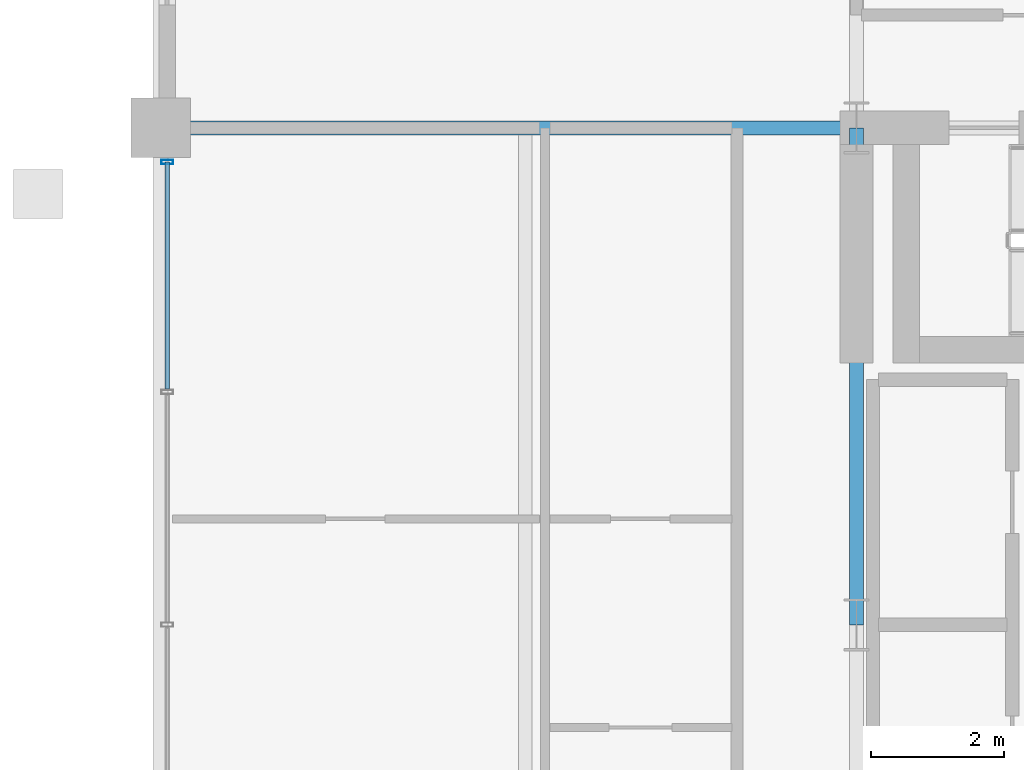
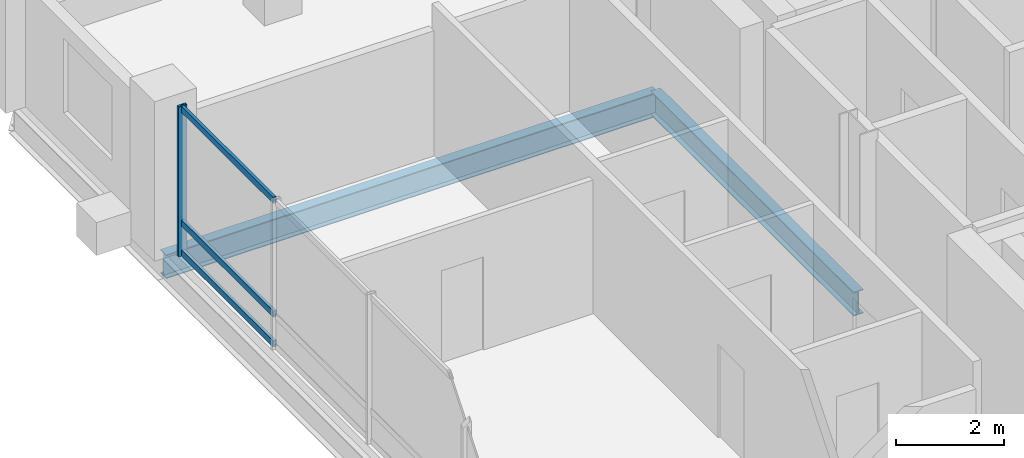
# One storey, part 8 of 21: 4 members, 2 beams, 1 element without a shape of its own.
"""IFC4 building model written with IfcOpenShell, lengths in metres."""

from ifc_helpers import new_model, si_unit, direction, frame, origin, origin_2d, place, context, subcontext, project, spatial, hollow_rectangle, i_section, extrude, material, layer, layer_set, material_profile, profile_set, type_object, element, aggregate, save


model = new_model("IFC4")

# Units and contexts
model_context = context("Model", 3, precision=1e-05, world=origin(), true_north=direction((0.0, 1.0)))
body_context = subcontext(model_context, "Body", "Model", "MODEL_VIEW")
ifc_project = project(units=[si_unit("LENGTHUNIT", "METRE"), si_unit("AREAUNIT", "SQUARE_METRE"), si_unit("VOLUMEUNIT", "CUBIC_METRE"), si_unit("PLANEANGLEUNIT", "RADIAN"), si_unit("MASSUNIT", "GRAM", prefix="KILO")], contexts=[model_context])

# Site, building, storey
site_placement = place(None, origin())
site = spatial("IfcSite", under=ifc_project, at=site_placement, CompositionType="ELEMENT")
building_placement = place(site_placement, origin())
building = spatial("IfcBuilding", under=site, at=building_placement, Name="Barlavira Tower and Art Museum", CompositionType="ELEMENT")
storey_placement = place(building_placement, frame((0.0, 0.0, 287.10009765625)))
storey = spatial("IfcBuildingStorey", under=building, at=storey_placement, Name="L75", CompositionType="ELEMENT", Elevation=287.10009765625)

# Curtain wall, members
ifc_material_1 = material(Name="Low-iron coastal laminated glass", Category="glass")
ifc_layer = layer(ifc_material_1, 0.2099609375, Name="Low-iron coastal laminated glass")
ifc_layer_set = layer_set([ifc_layer], Name="Low-iron coastal laminated glass")
curtain_wall_type = type_object("IfcCurtainWallType", Name="Pale-Metal Unitised Curtain Wall Zone 4", PredefinedType="NOTDEFINED", material=ifc_layer_set)
curtain_wall_placement = place(storey_placement, origin())
curtain_wall = element("IfcCurtainWall", 1, at=curtain_wall_placement, inside=storey, type_object=curtain_wall_type, Name="L75 Curtain Wall CW4-L75-W-B3", PredefinedType="NOTDEFINED")
ifc_material_2 = material(Name="Pale anodised aluminium", Category="aluminium")
ifc_material_profile_1 = material_profile(ifc_material_2, hollow_rectangle(XDim=0.06494140625, YDim=0.179931640625, WallThickness=0.00390625, at=origin_2d()), Name="ALU-MULL 65x180x4")
ifc_profile_set_1 = profile_set([ifc_material_profile_1], Name="Pale anodised aluminium")
member_type_1 = type_object("IfcMemberType", Name="Curtain Wall Pale-Metal Mullion 65x180", PredefinedType="MULLION", material=ifc_profile_set_1)
member_1_placement = place(storey_placement, frame((-16.89990234375, 6.985107421875, 0.0), z_axis=(0.0, 0.0, 1.0), x_axis=(0.0, -1.0, 0.0)))
member_1 = element("IfcMember", 2, at=member_1_placement, type_object=member_type_1, Name="CW4-L75-W-B3 Mullion 0", PredefinedType="MULLION", context=body_context, shape_type="SweptSolid", body=[
    extrude(hollow_rectangle(XDim=0.06494140625, YDim=0.179931640625, WallThickness=0.00390625, at=origin_2d()), origin(), (0.0, 0.0, 1.0), 3.3798828125),
])
ifc_material_profile_2 = material_profile(ifc_material_2, hollow_rectangle(XDim=0.06494140625, YDim=0.139892578125, WallThickness=0.00390625, at=origin_2d()), Name="ALU-TRAN 65x140x4")
ifc_profile_set_2 = profile_set([ifc_material_profile_2], Name="Pale anodised aluminium")
member_type_2 = type_object("IfcMemberType", Name="Curtain Wall Pale-Metal Transom 65x140", PredefinedType="USERDEFINED", material=ifc_profile_set_2)
member_2_placement = place(storey_placement, frame((-16.89990234375, 6.985107421875, 0.06982421875), z_axis=(0.0, -1.0, 0.0), x_axis=(1.0, 0.0, 0.0)))
member_2 = element("IfcMember", 3, at=member_2_placement, type_object=member_type_2, Name="CW4-L75-W-B3 Transom 0.1", ObjectType="TRANSOM", PredefinedType="USERDEFINED", context=body_context, shape_type="SweptSolid", body=[
    extrude(hollow_rectangle(XDim=0.06494140625, YDim=0.139892578125, WallThickness=0.00390625, at=origin_2d()), origin(), (0.0, 0.0, 1.0), 3.425048828125),
])
member_3_placement = place(storey_placement, frame((-16.89990234375, 6.985107421875, 0.743896484375), z_axis=(0.0, -1.0, 0.0), x_axis=(1.0, 0.0, 0.0)))
member_3 = element("IfcMember", 4, at=member_3_placement, type_object=member_type_2, Name="CW4-L75-W-B3 Transom 0.2", ObjectType="TRANSOM", PredefinedType="USERDEFINED", context=body_context, shape_type="SweptSolid", body=[
    extrude(hollow_rectangle(XDim=0.06494140625, YDim=0.139892578125, WallThickness=0.00390625, at=origin_2d()), origin(), (0.0, 0.0, 1.0), 3.425048828125),
])
member_4_placement = place(storey_placement, frame((-16.89990234375, 6.985107421875, 3.309814453125), z_axis=(0.0, -1.0, 0.0), x_axis=(1.0, 0.0, 0.0)))
member_4 = element("IfcMember", 5, at=member_4_placement, type_object=member_type_2, Name="CW4-L75-W-B3 Transom 0.3", ObjectType="TRANSOM", PredefinedType="USERDEFINED", context=body_context, shape_type="SweptSolid", body=[
    extrude(hollow_rectangle(XDim=0.06494140625, YDim=0.139892578125, WallThickness=0.00390625, at=origin_2d()), origin(), (0.0, 0.0, 1.0), 3.425048828125),
])
aggregate(curtain_wall, [member_1, member_2, member_3, member_4])

# Beams
ifc_material_3 = material(Name="Steel S355", Category="steel")
ifc_material_profile_3 = material_profile(ifc_material_3, i_section(OverallWidth=0.2109375, OverallDepth=0.5390625, WebThickness=0.01171875, FlangeThickness=0.018798828125, at=origin_2d()), Name="W530x109.0")
ifc_profile_set_3 = profile_set([ifc_material_profile_3], Name="Steel S355")
beam_type = type_object("IfcBeamType", Name="Zone 3-4 Primary Floor Girder W530x109 Steel S355", PredefinedType="BEAM", material=ifc_profile_set_3)
beam_1_placement = place(storey_placement, frame((-6.5, 0.0, -0.489501953125), z_axis=(0.0, 1.0, 0.0), x_axis=(-1.0, 0.0, 0.0)))
element("IfcBeam", 6, at=beam_1_placement, inside=storey, type_object=beam_type, Name="L75 Girder C-W2", PredefinedType="BEAM", context=body_context, shape_type="SweptSolid", body=[
    extrude(i_section(OverallWidth=0.2109375, OverallDepth=0.5390625, WebThickness=0.01171875, FlangeThickness=0.018798828125, at=origin_2d()), origin(), (0.0, 0.0, 1.0), 7.5),
])
beam_2_placement = place(storey_placement, frame((-17.0, 7.5, -0.489501953125), z_axis=(1.0, 0.0, 0.0), x_axis=(0.0, 1.0, 0.0)))
element("IfcBeam", 7, at=beam_2_placement, inside=storey, type_object=beam_type, Name="L75 Girder R-W2", PredefinedType="BEAM", context=body_context, shape_type="SweptSolid", body=[
    extrude(i_section(OverallWidth=0.2109375, OverallDepth=0.5390625, WebThickness=0.01171875, FlangeThickness=0.018798828125, at=origin_2d()), origin(), (0.0, 0.0, 1.0), 10.5),
])

save(model, "model.ifc")
